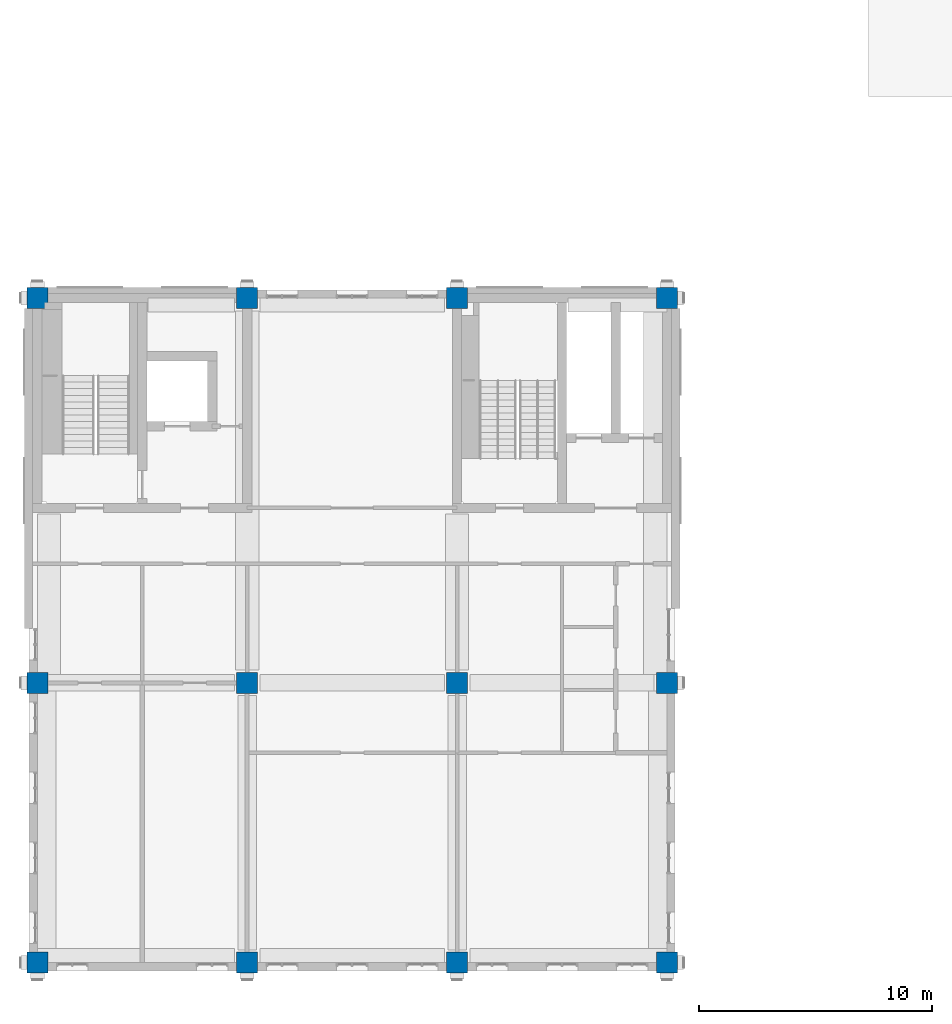
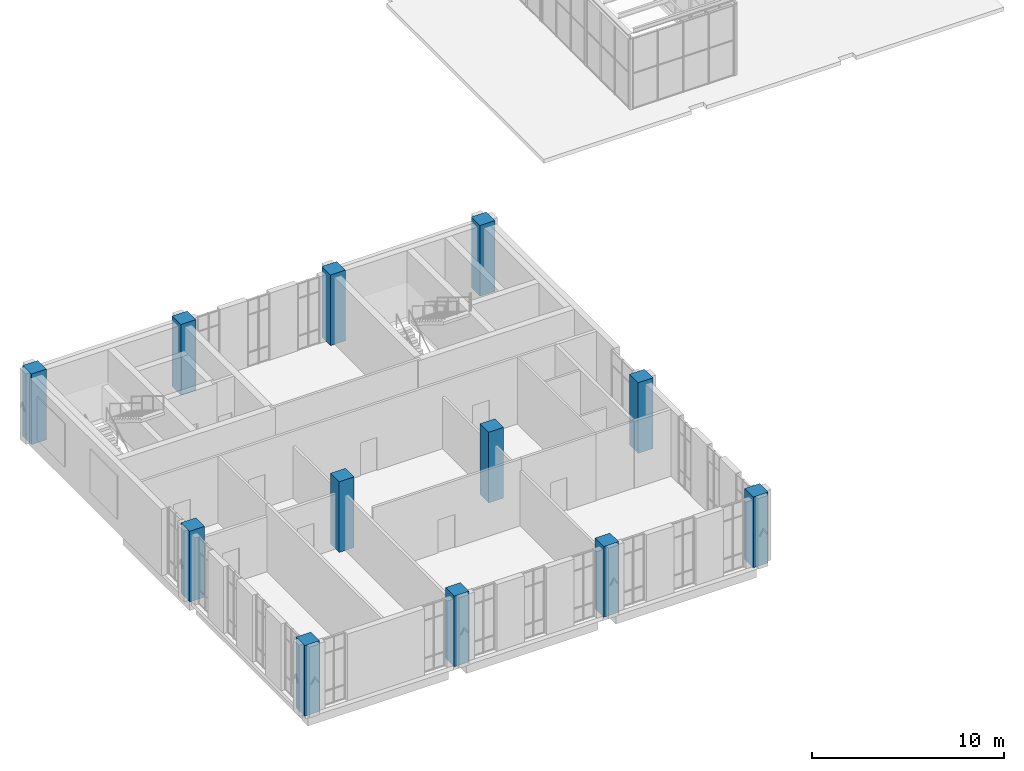
# One storey, part 1 of 25: 12 columns.
"""IFC4 building model written with IfcOpenShell, lengths in metres."""

from ifc_helpers import new_model, si_unit, direction, frame, origin, origin_2d, place, context, subcontext, project, spatial, rectangle, extrude, material, material_profile, profile_set, type_object, element, save


model = new_model("IFC4")

# Units and contexts
model_context = context("Model", 3, precision=1e-05, world=origin(), true_north=direction((0.0, 1.0)))
body_context = subcontext(model_context, "Body", "Model", "MODEL_VIEW")
ifc_project = project(units=[si_unit("LENGTHUNIT", "METRE"), si_unit("AREAUNIT", "SQUARE_METRE"), si_unit("VOLUMEUNIT", "CUBIC_METRE"), si_unit("PLANEANGLEUNIT", "RADIAN"), si_unit("MASSUNIT", "GRAM", prefix="KILO")], contexts=[model_context])

# Site, building, storey
site_placement = place(None, origin())
site = spatial("IfcSite", under=ifc_project, at=site_placement, CompositionType="ELEMENT")
building_placement = place(site_placement, origin())
building = spatial("IfcBuilding", under=site, at=building_placement, Name="Aurelan Courthouse", CompositionType="ELEMENT")
storey_placement = place(building_placement, frame((0.0, 0.0, 44.39990234375)))
storey = spatial("IfcBuildingStorey", under=building, at=storey_placement, Name="L08", CompositionType="ELEMENT", Elevation=44.39990234375)

# Columns
ifc_material = material(Name="Concrete C50", Category="concrete")
ifc_material_profile = material_profile(ifc_material, rectangle(XDim=0.89990234375, YDim=0.89990234375, at=origin_2d()), Name="RC 900 x 900")
ifc_profile_set = profile_set([ifc_material_profile], Name="Concrete C50")
column_type = type_object("IfcColumnType", Name="RC column 900 x 900 C50", PredefinedType="COLUMN", material=ifc_profile_set)
for number, where, z_axis, x_axis, name in (
    (1, (0.0, 0.0, 0.0), (0.0, 0.0, 1.0), (1.0, 0.0, 0.0), "Column C-A1-D"),
    (2, (9.0, 0.0, 0.0), (0.0, 0.0, 1.0), (1.0, 0.0, 0.0), "Column C-A2-D"),
    (3, (18.0, 0.0, 0.0), (0.0, 0.0, 1.0), (1.0, 0.0, 0.0), "Column C-A3-D"),
    (4, (27.0, 0.0, 0.0), (0.0, 0.0, 1.0), (1.0, 0.0, 0.0), "Column C-A4-D"),
    (5, (0.0, 12.0, 0.0), (0.0, 0.0, 1.0), (1.0, 0.0, 0.0), "Column C-B1-D"),
    (6, (9.0, 12.0, 0.0), (0.0, 0.0, 1.0), (1.0, 0.0, 0.0), "Column C-B2-D"),
    (7, (18.0, 12.0, 0.0), (0.0, 0.0, 1.0), (1.0, 0.0, 0.0), "Column C-B3-D"),
    (8, (27.0, 12.0, 0.0), (0.0, 0.0, 1.0), (1.0, 0.0, 0.0), "Column C-B4-D"),
    (9, (0.0, 28.5, 0.0), (0.0, 0.0, 1.0), (1.0, 0.0, 0.0), "Column C-C1-D"),
    (10, (9.0, 28.5, 0.0), (0.0, 0.0, 1.0), (1.0, 0.0, 0.0), "Column C-C2-D"),
    (11, (18.0, 28.5, 0.0), (0.0, 0.0, 1.0), (1.0, 0.0, 0.0), "Column C-C3-D"),
    (12, (27.0, 28.5, 0.0), (0.0, 0.0, 1.0), (1.0, 0.0, 0.0), "Column C-C4-D"),
):
    element("IfcColumn", number, at=place(storey_placement, frame(where, z_axis=z_axis, x_axis=x_axis)), inside=storey, type_object=column_type, Name=name, PredefinedType="COLUMN", context=body_context, shape_type="SweptSolid", body=[
        extrude(rectangle(XDim=0.89990234375, YDim=0.89990234375, at=origin_2d()), origin(), (0.0, 0.0, 1.0), 4.5),
    ])

save(model, "model.ifc")
